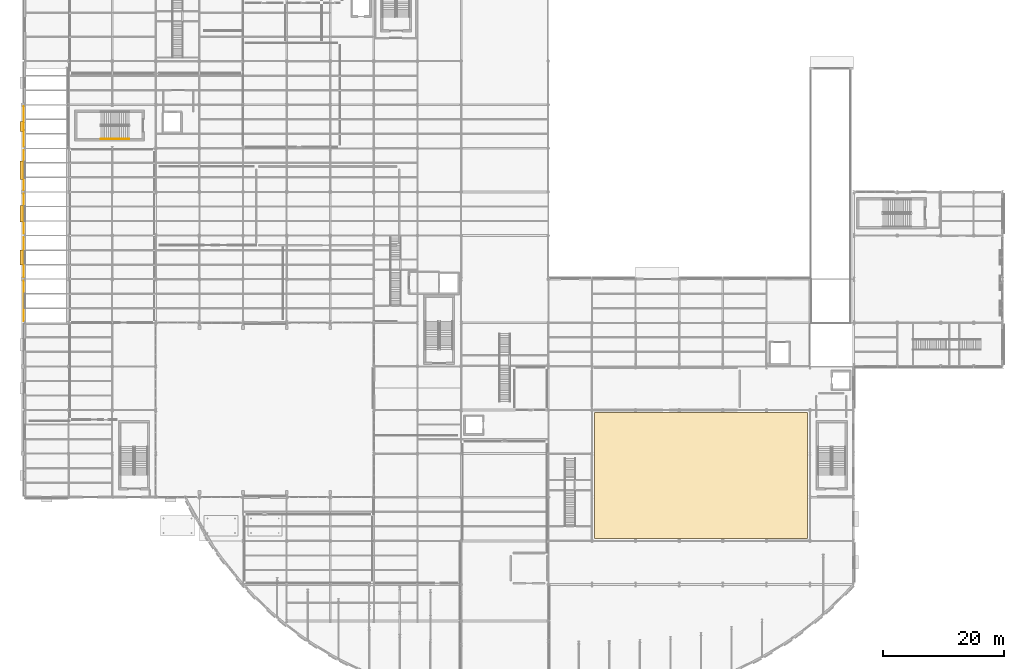
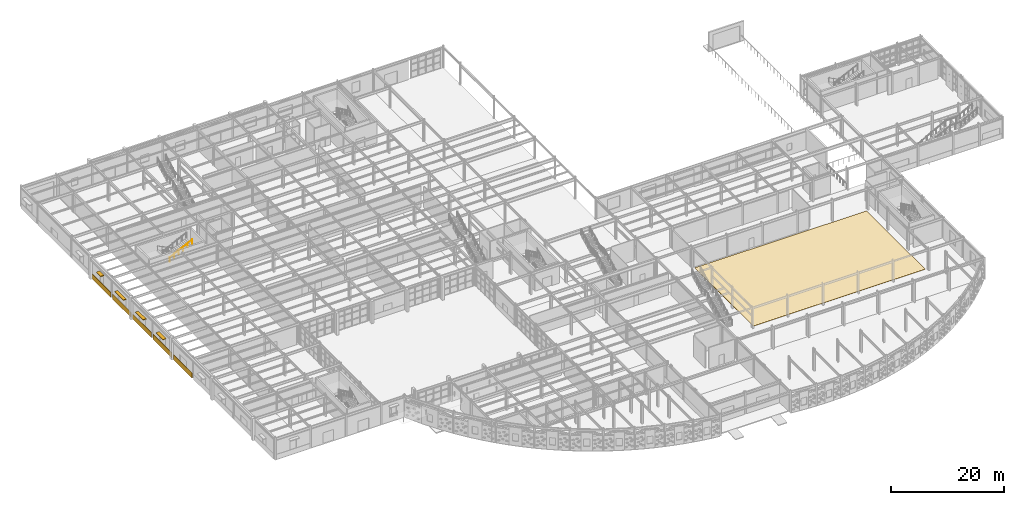
# One storey, part 74 of 83: 6 coverings, 4 shading devices, 1 railing.
"""IFC4 building model written with IfcOpenShell, lengths in metres."""

from ifc_helpers import new_model, si_unit, direction, frame, origin, origin_2d, place, context, subcontext, project, spatial, polyline, rectangle, circle, outline, extrude, material, layer, layer_set, type_object, element, save


model = new_model("IFC4")

# Units and contexts
model_context = context("Model", 3, precision=1e-05, world=origin(), true_north=direction((0.0, 1.0)))
body_context = subcontext(model_context, "Body", "Model", "MODEL_VIEW")
ifc_project = project(units=[si_unit("LENGTHUNIT", "METRE"), si_unit("AREAUNIT", "SQUARE_METRE"), si_unit("VOLUMEUNIT", "CUBIC_METRE"), si_unit("PLANEANGLEUNIT", "RADIAN"), si_unit("MASSUNIT", "GRAM", prefix="KILO")], contexts=[model_context])

# Site, building, storey
site_placement = place(None, origin())
site = spatial("IfcSite", under=ifc_project, at=site_placement, CompositionType="ELEMENT")
building_placement = place(site_placement, origin())
building = spatial("IfcBuilding", under=site, at=building_placement, Name="Solvadek Multi-Sports Hall", CompositionType="ELEMENT")
storey_placement = place(building_placement, origin())
storey = spatial("IfcBuildingStorey", under=building, at=storey_placement, Name="L00", CompositionType="ELEMENT", Elevation=0.0)

# Coverings
ifc_material_1 = material(Name="Dressed honey-cream limestone ashlar", Category="masonry")
ifc_layer_1 = layer(ifc_material_1, 0.044921875, Name="Dressed honey-cream limestone ashlar")
ifc_layer_set_1 = layer_set([ifc_layer_1], Name="Dressed honey-cream limestone ashlar")
covering_type_1 = type_object("IfcCoveringType", Name="ENV-COV-CLAD45", PredefinedType="CLADDING", material=ifc_layer_set_1)
for number, where, z_axis, x_axis, name in (
    (1, (-0.197021484375, 52.800048828125, 0.0), (0.0, 0.0, 1.0), (0.0, 1.0, 0.0), "Deccan Granite Plinth Cladding #5"),
    (2, (-0.197021484375, 60.0, 0.0), (0.0, 0.0, 1.0), (0.0, 1.0, 0.0), "Deccan Granite Plinth Cladding #6"),
    (3, (-0.197021484375, 67.199951171875, 0.0), (0.0, 0.0, 1.0), (0.0, 1.0, 0.0), "Deccan Granite Plinth Cladding #7"),
    (4, (-0.197021484375, 74.39990234375, 0.0), (0.0, 0.0, 1.0), (0.0, 1.0, 0.0), "Deccan Granite Plinth Cladding #8"),
    (5, (-0.197021484375, 81.60009765625, 0.0), (0.0, 0.0, 1.0), (0.0, 1.0, 0.0), "Deccan Granite Plinth Cladding #9"),
):
    element("IfcCovering", number, at=place(storey_placement, frame(where, z_axis=z_axis, x_axis=x_axis)), inside=storey, type_object=covering_type_1, Name=name, PredefinedType="CLADDING", context=body_context, shape_type="SweptSolid", body=[
        extrude(rectangle(XDim=6.64208984375, YDim=0.044921875, at=origin_2d()), origin(), (0.0, 0.0, 1.0), 1.10009765625),
    ])

# Shading devices
ifc_material_2 = material(Name="Perforated champagne-bronze anodised aluminium", Category="aluminium")
shading_device_type_1 = type_object("IfcShadingDeviceType", Name="ENV-SHD-CHAJJA1", PredefinedType="JALOUSIE", material=ifc_material_2)
shading_device_1_placement = place(storey_placement, frame((-0.494384765625, 60.0, 2.81982421875), z_axis=(0.0, 0.0, 1.0), x_axis=(0.0, 1.0, 0.0)))
element("IfcShadingDevice", 6, at=shading_device_1_placement, inside=storey, type_object=shading_device_type_1, Name="L00 Chajja Solar Shading Hood #13", PredefinedType="JALOUSIE", context=body_context, shape_type="SweptSolid", body=[
    extrude(rectangle(XDim=2.5, YDim=0.639892578125, at=origin_2d()), origin(), (0.0, 0.0, 1.0), 0.1201171875),
])
shading_device_2_placement = place(storey_placement, frame((-0.494384765625, 67.199951171875, 2.81982421875), z_axis=(0.0, 0.0, 1.0), x_axis=(0.0, 1.0, 0.0)))
element("IfcShadingDevice", 7, at=shading_device_2_placement, inside=storey, type_object=shading_device_type_1, Name="L00 Chajja Solar Shading Hood #16", PredefinedType="JALOUSIE", context=body_context, shape_type="SweptSolid", body=[
    extrude(rectangle(XDim=2.800048828125, YDim=0.639892578125, at=origin_2d()), origin(), (0.0, 0.0, 1.0), 0.1201171875),
])
shading_device_3_placement = place(storey_placement, frame((-0.494384765625, 74.39990234375, 2.81982421875), z_axis=(0.0, 0.0, 1.0), x_axis=(0.0, 1.0, 0.0)))
element("IfcShadingDevice", 8, at=shading_device_3_placement, inside=storey, type_object=shading_device_type_1, Name="L00 Chajja Solar Shading Hood #18", PredefinedType="JALOUSIE", context=body_context, shape_type="SweptSolid", body=[
    extrude(rectangle(XDim=3.10009765625, YDim=0.639892578125, at=origin_2d()), origin(), (0.0, 0.0, 1.0), 0.1201171875),
])
shading_device_type_2 = type_object("IfcShadingDeviceType", Name="ENV-SHD-CHAJJA2", PredefinedType="JALOUSIE", material=ifc_material_2)
shading_device_4_placement = place(storey_placement, frame((-0.494384765625, 81.60009765625, 3.119873046875), z_axis=(0.0, 0.0, 1.0), x_axis=(0.0, 1.0, 0.0)))
element("IfcShadingDevice", 9, at=shading_device_4_placement, inside=storey, type_object=shading_device_type_2, Name="L00 Chajja Solar Shading Hood #20", PredefinedType="JALOUSIE", context=body_context, shape_type="SweptSolid", body=[
    extrude(rectangle(XDim=1.60009765625, YDim=0.639892578125, at=origin_2d()), origin(), (0.0, 0.0, 1.0), 0.1201171875),
])

# Covering
ifc_material_3 = material(Name="Sprung maple sports flooring")
ifc_layer_2 = layer(ifc_material_3, 0.034912109375, Name="Sprung maple sports flooring")
ifc_layer_set_2 = layer_set([ifc_layer_2], Name="Sprung maple sports flooring")
covering_type_2 = type_object("IfcCoveringType", Name="INT-COV-MAPLE", PredefinedType="FLOORING", material=ifc_layer_set_2)
covering_placement = place(storey_placement, origin())
element("IfcCovering", 10, at=covering_placement, inside=storey, type_object=covering_type_2, Name="Main Competition Sprung Maple Court Floor", PredefinedType="FLOORING", context=body_context, shape_type="SweptSolid", body=[
    extrude(outline(polyline([(94.0, 13.60009765625), (129.199951171875, 13.60009765625), (129.199951171875, 34.39990234375), (94.0, 34.39990234375), (94.0, 13.60009765625)])), origin(), (0.0, 0.0, 1.0), 0.034912109375),
])

# Railing
ifc_material_4 = material(Name="Steel E250 (250 MPa)", Category="steel")
railing_type = type_object("IfcRailingType", Name="INT-RAL-HND090", PredefinedType="HANDRAIL", material=ifc_material_4)
railing_placement = place(storey_placement, frame((12.550048828125, 79.550048828125, 2.550048828125)))
element("IfcRailing", 11, at=railing_placement, inside=storey, type_object=railing_type, Name="L00 ST-02 stair handrail 2", PredefinedType="HANDRAIL", context=body_context, shape_type="SweptSolid", body=[
    extrude(circle(Radius=0.02392578125, at=origin_2d()), frame((0.0, 0.0, 0.8759765625), z_axis=(0.900155664878, 0.0, 0.435568340204), x_axis=(0.0, 1.0, 0.0)), (0.0, 0.0, 1.0), 5.165771484375),
    extrude(circle(Radius=0.02099609375, at=origin_2d()), origin(), (0.0, 0.0, 1.0), 0.851806640625),
    extrude(circle(Radius=0.02099609375, at=origin_2d()), frame((0.929931640625, 0.0, 0.449951171875)), (0.0, 0.0, 1.0), 0.851806640625),
    extrude(circle(Radius=0.02099609375, at=origin_2d()), frame((1.85986328125, 0.0, 0.89990234375)), (0.0, 0.0, 1.0), 0.851806640625),
    extrude(circle(Radius=0.02099609375, at=origin_2d()), frame((2.7900390625, 0.0, 1.35009765625)), (0.0, 0.0, 1.0), 0.851806640625),
    extrude(circle(Radius=0.02099609375, at=origin_2d()), frame((3.719970703125, 0.0, 1.800048828125)), (0.0, 0.0, 1.0), 0.851806640625),
    extrude(circle(Radius=0.02099609375, at=origin_2d()), frame((4.64990234375, 0.0, 2.25)), (0.0, 0.0, 1.0), 0.851806640625),
])

save(model, "model.ifc")
